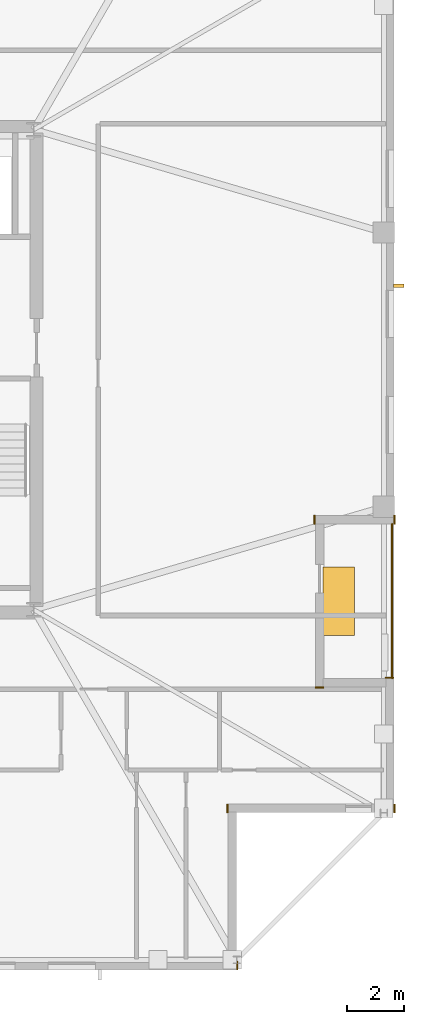
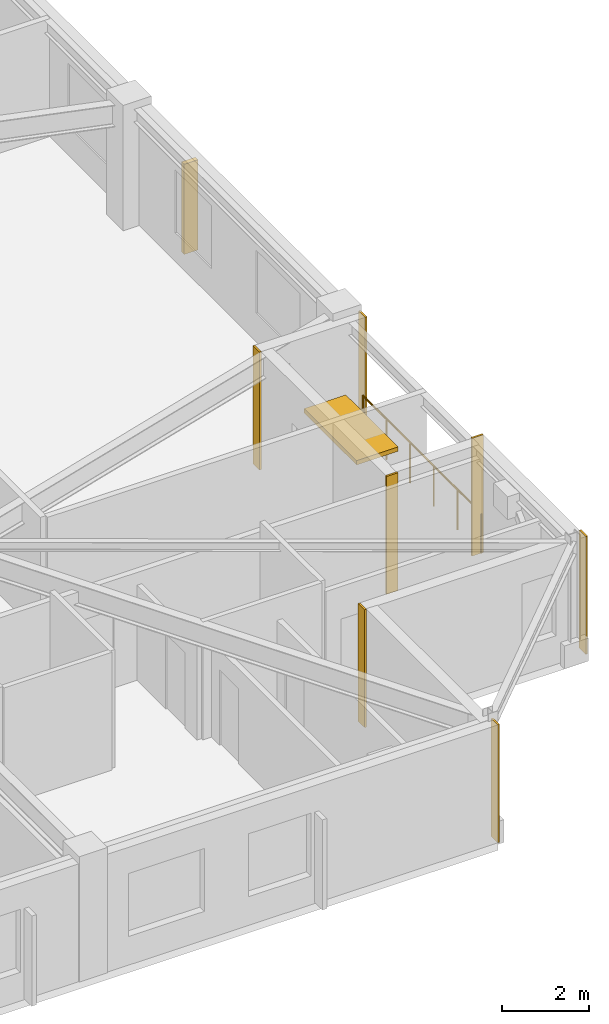
# One storey, part 14 of 15: 7 coverings, 2 shading devices, 1 railing.
"""IFC4 building model written with IfcOpenShell, lengths in metres."""

from ifc_helpers import new_model, si_unit, direction, frame, frame_2d, origin, origin_2d, place, context, subcontext, project, spatial, rectangle, circle, extrude, material, layer, layer_set, type_object, element, save


model = new_model("IFC4")

# Units and contexts
model_context = context("Model", 3, precision=1e-05, world=origin(), true_north=direction((0.0, 1.0)))
body_context = subcontext(model_context, "Body", "Model", "MODEL_VIEW")
ifc_project = project(units=[si_unit("LENGTHUNIT", "METRE"), si_unit("AREAUNIT", "SQUARE_METRE"), si_unit("VOLUMEUNIT", "CUBIC_METRE"), si_unit("PLANEANGLEUNIT", "RADIAN"), si_unit("MASSUNIT", "GRAM", prefix="KILO")], contexts=[model_context])

# Site, building, storey
site_placement = place(None, origin())
site = spatial("IfcSite", under=ifc_project, at=site_placement, CompositionType="ELEMENT")
building_placement = place(site_placement, origin())
building = spatial("IfcBuilding", under=site, at=building_placement, Name="Cairnveth Concourse Tower", CompositionType="ELEMENT")
storey_placement = place(building_placement, frame((0.0, 0.0, 298.0)))
storey = spatial("IfcBuildingStorey", under=building, at=storey_placement, Name="L82", CompositionType="ELEMENT", Elevation=298.0)

# Coverings
ifc_material_1 = material(Name="Dressed Melbourne Bluestone Cladding", Category="masonry")
ifc_layer = layer(ifc_material_1, 0.050048828125)
ifc_layer_set = layer_set([ifc_layer], Name="Dressed Melbourne Bluestone Cladding")
covering_type = type_object("IfcCoveringType", Name="DRESSED BLUESTONE PLINTH CLADDING 50", PredefinedType="CLADDING", material=ifc_layer_set)
for number, where, z_axis, x_axis, name in (
    (1, (72.699951171875, 28.219970703125, 0.0), (0.0, 0.0, 1.0), (1.0, 0.0, 0.0), "Melbourne Bluestone Corner Quoin L82-1243"),
    (2, (73.02001953125, 23.800048828125, 0.0), (0.0, 0.0, 1.0), (0.0, -1.0, 0.0), "Melbourne Bluestone Corner Quoin L82-1244"),
    (3, (67.179931640625, 23.800048828125, 0.0), (0.0, 0.0, 1.0), (0.0, -1.0, 0.0), "Melbourne Bluestone Corner Quoin L82-1245"),
    (4, (67.52001953125, 18.300048828125, 0.0), (0.0, 0.0, 1.0), (0.0, -1.0, 0.0), "Melbourne Bluestone Corner Quoin L82-1246"),
):
    element("IfcCovering", number, at=place(storey_placement, frame(where, z_axis=z_axis, x_axis=x_axis)), inside=storey, type_object=covering_type, Name=name, PredefinedType="CLADDING", context=body_context, shape_type="SweptSolid", body=[
        extrude(rectangle(XDim=0.300048828125, YDim=0.050048828125, at=frame_2d((0.14990234375, 0.0))), origin(), (0.0, 0.0, 1.0), 3.2900390625),
    ])
for number, where, z_axis, x_axis, name in (
    (5, (73.02001953125, 33.89990234375, 0.0), (0.0, 0.0, 1.0), (0.0, -1.0, 0.0), "Melbourne Bluestone Corner Quoin L82-1256"),
    (6, (70.22998046875, 33.89990234375, 0.0), (0.0, 0.0, 1.0), (0.0, -1.0, 0.0), "Melbourne Bluestone Corner Quoin L82-1257"),
):
    element("IfcCovering", number, at=place(storey_placement, frame(where, z_axis=z_axis, x_axis=x_axis)), inside=storey, type_object=covering_type, Name=name, PredefinedType="CLADDING", context=body_context, shape_type="SweptSolid", body=[
        extrude(rectangle(XDim=0.2998046875, YDim=0.050048828125, at=frame_2d((0.14990234375, 0.0))), origin(), (0.0, 0.0, 1.0), 3.2900390625),
    ])
covering_placement = place(storey_placement, frame((70.25, 27.8798828125, 0.0), z_axis=(0.0, 0.0, 1.0), x_axis=(1.0, 0.0, 0.0)))
element("IfcCovering", 7, at=covering_placement, inside=storey, type_object=covering_type, Name="Melbourne Bluestone Corner Quoin L82-1258", PredefinedType="CLADDING", context=body_context, shape_type="SweptSolid", body=[
    extrude(rectangle(XDim=0.300048828125, YDim=0.050048828125, at=frame_2d((0.14990234375, 0.0))), origin(), (0.0, 0.0, 1.0), 3.2900390625),
])

# Shading devices
ifc_material_2 = material(Name="Architectural Bronze Anodised Aluminium 6063-T6", Category="aluminium")
shading_device_type_1 = type_object("IfcShadingDeviceType", Name="GOTHIC BRONZE VERTICAL LANCET FIN", PredefinedType="USERDEFINED", material=ifc_material_2)
shading_device_1_placement = place(storey_placement, frame((73.175048828125, 41.933837890625, 0.030029296875), z_axis=(0.0, 0.0, 1.0), x_axis=(0.0, 1.0, 0.0)))
element("IfcShadingDevice", 8, at=shading_device_1_placement, inside=storey, type_object=shading_device_type_1, Name="Gothic Bronze Vertical Fin L82-12-3", ObjectType="VERTICAL FIN", PredefinedType="USERDEFINED", context=body_context, shape_type="SweptSolid", body=[
    extrude(rectangle(XDim=0.1201171875, YDim=0.360107421875, at=origin_2d()), origin(), (0.0, 0.0, 1.0), 2.51806640625),
])
shading_device_type_2 = type_object("IfcShadingDeviceType", Name="SPIRAL TERRACE SUNSHADE CANOPY", PredefinedType="USERDEFINED", material=ifc_material_2)
shading_device_2_placement = place(storey_placement, frame((71.070068359375, 30.89990234375, 2.39794921875), z_axis=(0.0, 0.0, 1.0), x_axis=(1.0, 0.0, 0.0)))
element("IfcShadingDevice", 9, at=shading_device_2_placement, inside=storey, type_object=shading_device_type_2, Name="Spiral Terrace Sunshade L82", ObjectType="TERRACE SUNSHADE", PredefinedType="USERDEFINED", context=body_context, shape_type="SweptSolid", body=[
    extrude(rectangle(XDim=1.10009765625, YDim=2.39990234375, at=origin_2d()), origin(), (0.0, 0.0, 1.0), 0.1201171875),
])

# Railing
railing_type = type_object("IfcRailingType", Name="TERRACE BRONZE BALUSTRADE 1150", PredefinedType="BALUSTRADE", material=ifc_material_2)
railing_placement = place(storey_placement, frame((72.93994140625, 28.199951171875, 0.0)))
element("IfcRailing", 10, at=railing_placement, inside=storey, type_object=railing_type, Name="Terrace Balustrade RL-L82-TERR", PredefinedType="BALUSTRADE", context=body_context, shape_type="SweptSolid", body=[
    extrude(circle(Radius=0.02490234375, at=origin_2d()), frame((0.0, 0.0, 1.125), z_axis=(0.0, 1.0, 0.0), x_axis=(-1.0, 0.0, 0.0)), (0.0, 0.0, 1.0), 5.400146484375),
    extrude(circle(Radius=0.02099609375, at=origin_2d()), origin(), (0.0, 0.0, 1.0), 1.099853515625),
    extrude(circle(Radius=0.02099609375, at=origin_2d()), frame((0.0, 1.080078125, 0.0)), (0.0, 0.0, 1.0), 1.099853515625),
    extrude(circle(Radius=0.02099609375, at=origin_2d()), frame((0.0, 2.16015625, 0.0)), (0.0, 0.0, 1.0), 1.099853515625),
    extrude(circle(Radius=0.02099609375, at=origin_2d()), frame((0.0, 3.239990234375, 0.0)), (0.0, 0.0, 1.0), 1.099853515625),
    extrude(circle(Radius=0.02099609375, at=origin_2d()), frame((0.0, 4.320068359375, 0.0)), (0.0, 0.0, 1.0), 1.099853515625),
    extrude(circle(Radius=0.02099609375, at=origin_2d()), frame((0.0, 5.400146484375, 0.0)), (0.0, 0.0, 1.0), 1.099853515625),
])

save(model, "model.ifc")
